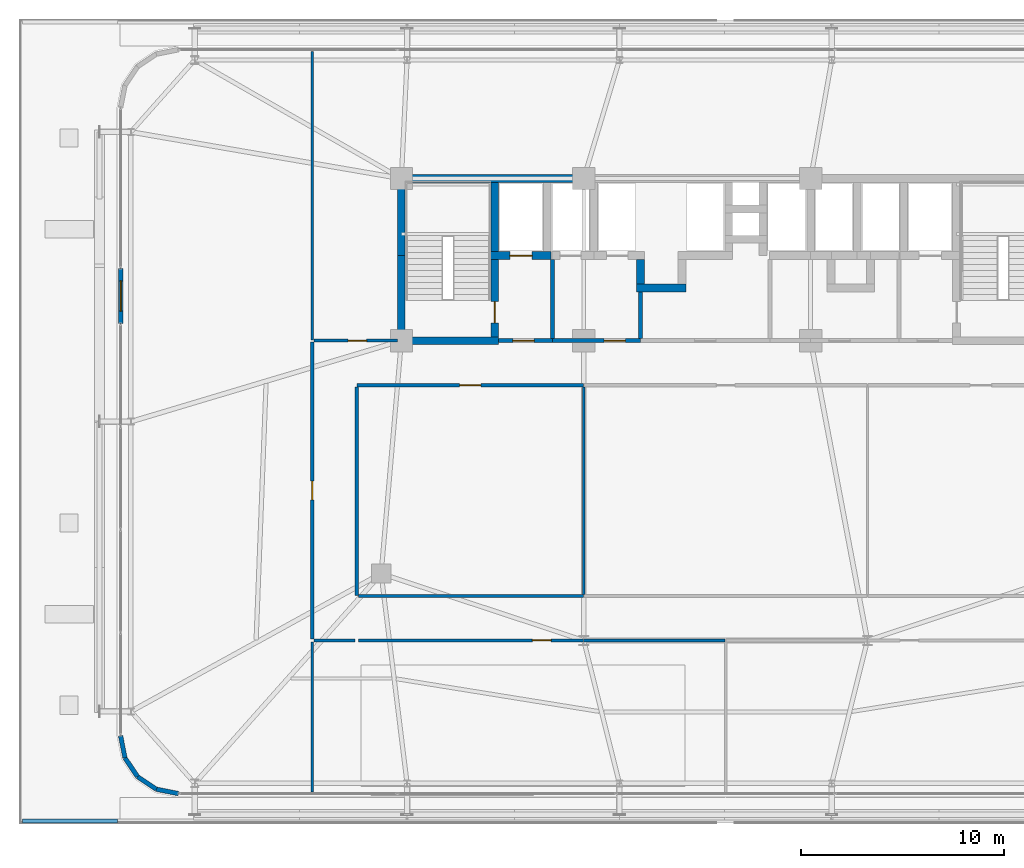
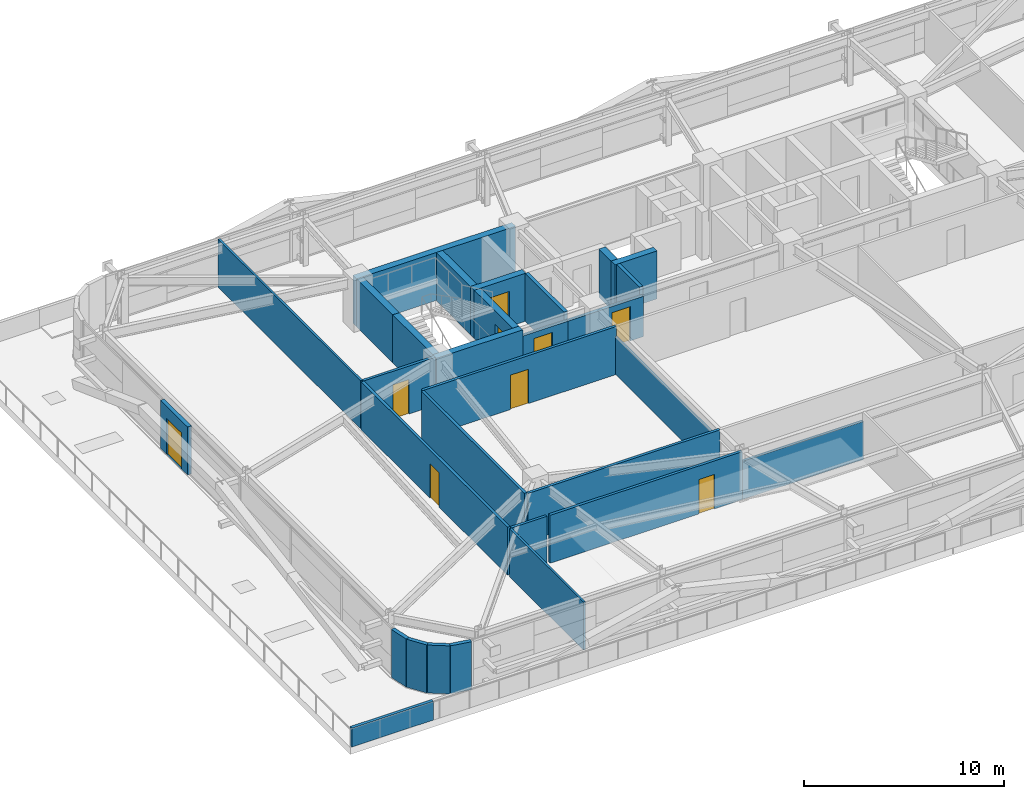
# One storey, part 50 of 56: 30 walls, 9 doors, 9 openings.
"""IFC4 building model written with IfcOpenShell, lengths in metres."""

import ifcopenshell
import ifcopenshell.guid

model = None  # the IFC model being written
_history = None  # IfcOwnerHistory: only IFC2X3 demands one
_inside = {}  # id of a spatial element -> (the spatial element, [elements in it])
_under = {}  # id of a project, library or spatial element -> (it, [spatial elements below it])
_declared = {}  # id of a project -> (the project, [libraries it declares])
_typed = {}  # id of a type object -> (the type object, [elements of that type])
_made_of = {}  # id of a material, layer set ... -> (it, [elements and type objects made of it])


def new_model(schema):
    """Start an empty IFC model of exactly this schema.

    Asked for "IFC4X3", IfcOpenShell would pick the latest addendum, in which some entities
    have other attributes; the version numbers below select the first issue.
    IFC2X3 requires an IfcOwnerHistory on every rooted entity: one is made here for all.
    """
    global model, _history
    if schema == "IFC4X3":
        model = ifcopenshell.file(schema_version=(4, 3, 0, 0))
    else:
        model = ifcopenshell.file(schema=schema)
    _inside.clear()
    _under.clear()
    _declared.clear()
    _typed.clear()
    _made_of.clear()
    _history = None
    if model.schema == "IFC2X3":
        org = make("IfcOrganization", Name="unknown")
        user = make(
            "IfcPersonAndOrganization",
            ThePerson=make("IfcPerson", FamilyName="unknown"),
            TheOrganization=org,
        )
        app = make(
            "IfcApplication",
            ApplicationDeveloper=org,
            Version="unknown",
            ApplicationFullName="unknown",
            ApplicationIdentifier="unknown",
        )
        _history = make(
            "IfcOwnerHistory",
            OwningUser=user,
            OwningApplication=app,
            ChangeAction="ADDED",
            CreationDate=0,
        )
    return model


def make(cls, **values):
    """One entity of the class cls with the attributes given. An attribute that is None is left unset."""
    return model.create_entity(
        cls, **{name: value for name, value in values.items() if value is not None}
    )


def rooted(cls, **values):
    """An entity with a GlobalId (a new one), such as an element, a storey or a relation."""
    return make(cls, GlobalId=ifcopenshell.guid.new(), OwnerHistory=_history, **values)


def si_unit(unit_type, name, prefix=None):
    """IfcSIUnit, for example si_unit("LENGTHUNIT", "METRE", prefix="MILLI")."""
    return make("IfcSIUnit", UnitType=unit_type, Prefix=prefix, Name=name)


def assignment(units):
    """IfcUnitAssignment: the units of a project."""
    return None if units is None else make("IfcUnitAssignment", Units=units)


def point(xyz):
    """IfcCartesianPoint."""
    return None if xyz is None else make("IfcCartesianPoint", Coordinates=xyz)


def direction(xyz):
    """IfcDirection."""
    return None if xyz is None else make("IfcDirection", DirectionRatios=xyz)


def frame(location, z_axis=None, x_axis=None):
    """IfcAxis2Placement3D, a coordinate frame: its origin and axes. An axis left out is left unset."""
    return make(
        "IfcAxis2Placement3D",
        Location=point(location),
        Axis=direction(z_axis),
        RefDirection=direction(x_axis),
    )


def frame_2d(location, x_axis=None):
    """IfcAxis2Placement2D, a coordinate frame in the plane: its origin and x axis."""
    return make(
        "IfcAxis2Placement2D", Location=point(location), RefDirection=direction(x_axis)
    )


def origin():
    """The frame at (0, 0, 0) with its axes left unset."""
    return frame((0.0, 0.0, 0.0))


def place(relative_to, where):
    """IfcLocalPlacement: puts the frame where relative to a parent placement (None: the world)."""
    return make(
        "IfcLocalPlacement", PlacementRelTo=relative_to, RelativePlacement=where
    )


def context(
    kind, dimensions, precision=None, world=None, true_north=None, identifier=None
):
    """IfcGeometricRepresentationContext, for example the 3D "Model" context."""
    return make(
        "IfcGeometricRepresentationContext",
        ContextIdentifier=identifier,
        ContextType=kind,
        CoordinateSpaceDimension=dimensions,
        Precision=precision,
        WorldCoordinateSystem=world,
        TrueNorth=true_north,
    )


def subcontext(parent, identifier, kind, view, scale=None):
    """IfcGeometricRepresentationSubContext, for example "Body" below "Model"."""
    return make(
        "IfcGeometricRepresentationSubContext",
        ContextIdentifier=identifier,
        ContextType=kind,
        ParentContext=parent,
        TargetScale=scale,
        TargetView=view,
    )


def project(units=None, contexts=None):
    """IfcProject with its units and contexts."""
    return rooted(
        "IfcProject",
        Name="project",
        RepresentationContexts=contexts,
        UnitsInContext=assignment(units),
    )


def spatial(cls, under=None, at=None, **own):
    """A site, building, storey or space (cls), placed at a placement, below another one or the project."""
    s = rooted(cls, ObjectPlacement=at, **own)
    if under is not None:
        _under.setdefault(under.id(), (under, []))[1].append(s)
    return s


def profile(cls, at=None, kind="AREA", **sizes):
    """A parametric profile (cls). Its sizes go by their IFC names, for example OverallWidth=200.0."""
    return make(cls, ProfileType=kind, Position=at, **sizes)


def rectangle(**sizes):
    """IfcRectangleProfileDef."""
    return profile("IfcRectangleProfileDef", **sizes)


def extrude(swept, where, along, depth):
    """IfcExtrudedAreaSolid: the profile swept, set in the frame where, extruded along a direction by depth."""
    return make(
        "IfcExtrudedAreaSolid",
        SweptArea=swept,
        Position=where,
        ExtrudedDirection=direction(along),
        Depth=depth,
    )


def shape(context_of_items, identifier, shape_type, items):
    """IfcShapeRepresentation: the items that make up one representation, for example the "Body"."""
    return make(
        "IfcShapeRepresentation",
        ContextOfItems=context_of_items,
        RepresentationIdentifier=identifier,
        RepresentationType=shape_type,
        Items=items,
    )


def source(mapping_origin, context_of_items, identifier, shape_type, items):
    """IfcRepresentationMap: a shape defined once, which mapped items show again and again."""
    return make(
        "IfcRepresentationMap",
        MappingOrigin=mapping_origin,
        MappedRepresentation=shape(context_of_items, identifier, shape_type, items),
    )


def transform(
    local_origin,
    x_axis=None,
    y_axis=None,
    z_axis=None,
    scale=None,
    scale2=None,
    scale3=None,
    uniform=True,
):
    """IfcCartesianTransformationOperator3D, or its non-uniform kind. x_axis, y_axis, z_axis: its Axis1, 2, 3."""
    if uniform:
        return make(
            "IfcCartesianTransformationOperator3D",
            Axis1=direction(x_axis),
            Axis2=direction(y_axis),
            LocalOrigin=point(local_origin),
            Scale=scale,
            Axis3=direction(z_axis),
        )
    return make(
        "IfcCartesianTransformationOperator3DnonUniform",
        Axis1=direction(x_axis),
        Axis2=direction(y_axis),
        LocalOrigin=point(local_origin),
        Scale=scale,
        Axis3=direction(z_axis),
        Scale2=scale2,
        Scale3=scale3,
    )


def mapped(mapping_source, mapping_target):
    """IfcMappedItem: shows the shape of a source again, moved by a transform."""
    return make(
        "IfcMappedItem", MappingSource=mapping_source, MappingTarget=mapping_target
    )


def material(Name=None, Category=None):
    """IfcMaterial."""
    return make("IfcMaterial", Name=Name, Category=Category)


def layer(
    of_material, thickness, ventilated=None, Name=None, Category=None, Priority=None
):
    """IfcMaterialLayer: one layer of a wall or slab, of a material (None: an air gap)."""
    return make(
        "IfcMaterialLayer",
        Material=of_material,
        LayerThickness=thickness,
        IsVentilated=ventilated,
        Name=Name,
        Category=Category,
        Priority=Priority,
    )


def layer_set(layers, Name=None):
    """IfcMaterialLayerSet."""
    return make("IfcMaterialLayerSet", MaterialLayers=layers, LayerSetName=Name)


def made_of(thing, what):
    """Note that an element or type object is made of a material, layer set ...; save() writes the relation."""
    if what is not None:
        _made_of.setdefault(what.id(), (what, []))[1].append(thing)
    return thing


def type_object(cls, material=None, **own):
    """A type object (cls), such as IfcWallType, which elements share."""
    return made_of(rooted(cls, **own), material)


def element(
    cls,
    number,
    at=None,
    inside=None,
    cuts=None,
    type_object=None,
    material=None,
    context=None,
    identifier="Body",
    shape_type=None,
    held_by="IfcProductDefinitionShape",
    body=None,
    shapes=None,
    **own,
):
    """One element of the class cls, such as IfcWall. Its Tag is "e" and its number.

    at: its placement. inside: the storey or other place that contains it. cuts: it is an
    opening in that element (IfcRelVoidsElement). A single representation is given by context,
    identifier, shape_type and body (its items); several are given by shapes. held_by: the class
    of the entity that holds the representations. save() writes the other relations.
    """
    e = rooted(cls, Tag="e%d" % number, ObjectPlacement=at, **own)
    if body is not None:
        shapes = [shape(context, identifier, shape_type, body)]
    if shapes is not None:
        e.Representation = make(held_by, Representations=shapes)
    if inside is not None:
        _inside.setdefault(inside.id(), (inside, []))[1].append(e)
    if cuts is not None:
        rooted(
            "IfcRelVoidsElement", RelatingBuildingElement=cuts, RelatedOpeningElement=e
        )
    if type_object is not None:
        _typed.setdefault(type_object.id(), (type_object, []))[1].append(e)
    return made_of(e, material)


def fill(opening, filler):
    """IfcRelFillsElement: the door or window that sits in an opening."""
    return rooted(
        "IfcRelFillsElement",
        RelatingOpeningElement=opening,
        RelatedBuildingElement=filler,
    )


def aggregate(whole, parts):
    """IfcRelAggregates: a whole, such as a stair, and the parts it consists of."""
    return rooted("IfcRelAggregates", RelatingObject=whole, RelatedObjects=parts)


def save(model, path):
    """Write the relations noted so far, then the file.

    IfcRelAggregates (storeys below a building ...), IfcRelContainedInSpatialStructure (elements
    in a storey), IfcRelDefinesByType, IfcRelAssociatesMaterial and IfcRelDeclares: one each for
    every whole, place, type object, material and project.
    """
    for whole, parts in _under.values():
        aggregate(whole, parts)
    for where, things in _inside.values():
        rooted(
            "IfcRelContainedInSpatialStructure",
            RelatedElements=things,
            RelatingStructure=where,
        )
    for kind, things in _typed.values():
        rooted("IfcRelDefinesByType", RelatedObjects=things, RelatingType=kind)
    for what, things in _made_of.values():
        rooted("IfcRelAssociatesMaterial", RelatedObjects=things, RelatingMaterial=what)
    for by, libraries in _declared.values():
        rooted("IfcRelDeclares", RelatingContext=by, RelatedDefinitions=libraries)
    model.write(path)


model = new_model("IFC4")

# Units and contexts
model_context = context("Model", 3, precision=1e-05, world=origin(), true_north=direction((0.0, 1.0)))
body_context = subcontext(model_context, "Body", "Model", "MODEL_VIEW")
ifc_project = project(units=[si_unit("LENGTHUNIT", "METRE"), si_unit("AREAUNIT", "SQUARE_METRE"), si_unit("VOLUMEUNIT", "CUBIC_METRE"), si_unit("PLANEANGLEUNIT", "RADIAN"), si_unit("MASSUNIT", "GRAM", prefix="KILO")], contexts=[model_context])

# Site, building, storey
site_placement = place(None, origin())
site = spatial("IfcSite", under=ifc_project, at=site_placement, CompositionType="ELEMENT")
building_placement = place(site_placement, origin())
building = spatial("IfcBuilding", under=site, at=building_placement, Name="Taldren Reach Tower", CompositionType="ELEMENT")
storey_placement = place(building_placement, frame((0.0, 0.0, 16.800048828125)))
storey = spatial("IfcBuildingStorey", under=building, at=storey_placement, Name="L04", CompositionType="ELEMENT", Elevation=16.800048828125)

# Walls
ifc_material_1 = material(Name="Pale Champagne Anodised Aluminium Cladding", Category="aluminium")
ifc_layer_1 = layer(ifc_material_1, 0.04, Name="Pale Champagne Anodised Aluminium Cladding", Category="aluminium")
ifc_material_2 = material(Name="Mineral Wool Acoustic Insulation", Category="insulation")
ifc_layer_2 = layer(ifc_material_2, 0.06, Name="Mineral Wool Acoustic Insulation", Category="insulation")
ifc_material_3 = material(Name="Steel Gr 350 (C350L0)", Category="steel")
ifc_layer_3 = layer(ifc_material_3, 0.12, Name="Steel Gr 350 (C350L0)", Category="steel")
ifc_layer_set_1 = layer_set([ifc_layer_1, ifc_layer_2, ifc_layer_3], Name="Pale Champagne Aluminium Cladding and Steel Gr 350 Stud Framing")
wall_type_1 = type_object("IfcWallType", Name="EW-CRN-220", PredefinedType="SOLIDWALL", material=ifc_layer_set_1)
shared_shape_1 = source(origin(), body_context, "Body", "SweptSolid", [
    extrude(rectangle(XDim=1.115966796875, YDim=0.219970703125, at=frame_2d((0.55810546875, 0.0))), origin(), (0.0, 0.0, 1.0), 2.929931640625),
])
for number, where, z_axis, x_axis, name in (
    (1, (5.139892578125, 4.5, 0.0), (0.0, 0.0, 1.0), (0.195148375659, -0.98077373103, 0.0), "Rounded-corner pale-metal facade wall L04-SW1"),
    (2, (5.357666015625, 3.405517578125, 0.0), (0.0, 0.0, 1.0), (0.555709556774, -0.83137650226, 0.0), "Rounded-corner pale-metal facade wall L04-SW2"),
    (3, (5.977783203125, 2.477783203125, 0.0), (0.0, 0.0, 1.0), (0.83137650226, -0.555709556774, 0.0), "Rounded-corner pale-metal facade wall L04-SW3"),
    (4, (6.905517578125, 1.857666015625, 0.0), (0.0, 0.0, 1.0), (0.98077373103, -0.195148375659, 0.0), "Rounded-corner pale-metal facade wall L04-SW4"),
):
    element("IfcWall", number, at=place(storey_placement, frame(where, z_axis=z_axis, x_axis=x_axis)), inside=storey, type_object=wall_type_1, Name=name, PredefinedType="SOLIDWALL", context=body_context, shape_type="MappedRepresentation", body=[
        mapped(shared_shape_1, transform((0.0, 0.0, 0.0), scale=1.0)),
    ])

# Wall, opening, door
shared_shape_2 = source(origin(), body_context, "Body", "SweptSolid", [
    extrude(rectangle(XDim=2.699951171875, YDim=0.219970703125, at=frame_2d((1.35009765625, 0.0))), origin(), (0.0, 0.0, 1.0), 2.929931640625),
])
wall_1_placement = place(storey_placement, frame((5.139892578125, 27.550048828125, 0.0), z_axis=(0.0, 0.0, 1.0), x_axis=(0.0, -1.0, 0.0)))
wall_1 = element("IfcWall", 5, at=wall_1_placement, inside=storey, type_object=wall_type_1, Name="Terrace threshold facade wall L04-W1", PredefinedType="SOLIDWALL", context=body_context, shape_type="MappedRepresentation", body=[
    mapped(shared_shape_2, transform((0.0, 0.0, 0.0), scale=1.0)),
])
shared_shape_3 = source(origin(), body_context, "Body", "SweptSolid", [
    extrude(rectangle(XDim=1.5, YDim=2.199951171875, at=frame_2d((0.75, 1.10009765625))), frame((0.0, 0.1201171875, 0.0), z_axis=(0.0, -1.0, 0.0), x_axis=(1.0, 0.0, 0.0)), (0.0, 0.0, 1.0), 0.239990234375),
])
opening_1_placement = place(wall_1_placement, frame((0.60009765625, 0.0, 0.0)))
opening_1 = element("IfcOpeningElement", 6, at=opening_1_placement, cuts=wall_1, Name="Opening ED-150", PredefinedType="OPENING", context=body_context, shape_type="MappedRepresentation", body=[
    mapped(shared_shape_3, transform((0.0, 0.0, 0.0), scale=1.0)),
])
ifc_material_4 = material(Name="Weatherproof Glazed Terrace Door")
door_type_1 = type_object("IfcDoorType", Name="ED-TERR-1500", OperationType="DOUBLE_DOOR_SINGLE_SWING", PredefinedType="DOOR", material=ifc_material_4)
shared_shape_4 = source(origin(), body_context, "Body", "SweptSolid", [
    extrude(rectangle(XDim=1.5, YDim=2.199951171875, at=frame_2d((0.75, 1.10009765625))), frame((0.0, 0.02490234375, 0.0), z_axis=(0.0, -1.0, 0.0), x_axis=(1.0, 0.0, 0.0)), (0.0, 0.0, 1.0), 0.050048828125),
])
door_1_placement = place(opening_1_placement, frame((1.5, 0.0, 0.0), z_axis=(0.0, 0.0, 1.0), x_axis=(-1.0, 0.0, 0.0)))
door_1 = element("IfcDoor", 7, at=door_1_placement, inside=storey, type_object=door_type_1, Name="Setback terrace access door ED-TERR-L04-W1", OperationType="DOUBLE_DOOR_SINGLE_SWING", OverallHeight=2.199951171875, OverallWidth=1.5, PredefinedType="DOOR", context=body_context, shape_type="MappedRepresentation", body=[
    mapped(shared_shape_4, transform((0.0, 0.0, 0.0), scale=1.0)),
])
fill(opening_1, door_1)

# Walls
ifc_layer_4 = layer(ifc_material_1, 0.03, Name="Pale Champagne Anodised Aluminium Cladding", Category="aluminium")
ifc_material_5 = material(Name="Concrete N40 (40 MPa)", Category="concrete")
ifc_layer_5 = layer(ifc_material_5, 0.15, Name="Concrete N40 (40 MPa)", Category="concrete")
ifc_layer_set_2 = layer_set([ifc_layer_4, ifc_layer_5], Name="Pale Champagne Aluminium Coping and Concrete 40 MPa (N40) Parapet")
wall_type_2 = type_object("IfcWallType", Name="EW-PAR-180", PredefinedType="PARAPET", material=ifc_layer_set_2)
shared_shape_5 = source(origin(), body_context, "Body", "SweptSolid", [
    extrude(rectangle(XDim=4.7099609375, YDim=0.179931640625, at=frame_2d((2.35498046875, 0.0))), origin(), (0.0, 0.0, 1.0), 1.14990234375),
])
wall_2_placement = place(storey_placement, frame((0.2900390625, 0.2900390625, 0.0), z_axis=(0.0, 0.0, 1.0), x_axis=(1.0, 0.0, 0.0)))
element("IfcWall", 8, at=wall_2_placement, inside=storey, type_object=wall_type_2, Name="Podium perimeter parapet wall L04-SW", PredefinedType="PARAPET", context=body_context, shape_type="MappedRepresentation", body=[
    mapped(shared_shape_5, transform((0.0, 0.0, 0.0), scale=1.0)),
])
ifc_material_6 = material(Name="Concrete S80 (80 MPa)", Category="concrete")
ifc_layer_6 = layer(ifc_material_6, 0.3798828125)
ifc_layer_set_3 = layer_set([ifc_layer_6], Name="Concrete S80 (80 MPa)")
wall_type_3 = type_object("IfcWallType", Name="IW-CORE-380", PredefinedType="SHEAR", material=ifc_layer_set_3)
shared_shape_6 = source(origin(), body_context, "Body", "SweptSolid", [
    extrude(rectangle(XDim=9.18994140625, YDim=0.3798828125, at=frame_2d((4.594970703125, 0.0))), origin(), (0.0, 0.0, 1.0), 2.929931640625),
])
wall_3_placement = place(storey_placement, frame((18.81005859375, 32.0, 0.0), z_axis=(0.0, 0.0, 1.0), x_axis=(1.0, 0.0, 0.0)))
element("IfcWall", 9, at=wall_3_placement, inside=storey, type_object=wall_type_3, Name="Rear Core Shear Wall W-CORE-L04-NORTH1", PredefinedType="SHEAR", context=body_context, shape_type="MappedRepresentation", body=[
    mapped(shared_shape_6, transform((0.0, 0.0, 0.0), scale=1.0)),
])
shared_shape_7 = source(origin(), body_context, "Body", "SweptSolid", [
    extrude(rectangle(XDim=4.010009765625, YDim=0.3798828125, at=frame_2d((2.0048828125, 0.0))), origin(), (0.0, 0.0, 1.0), 2.929931640625),
])
wall_4_placement = place(storey_placement, frame((19.0, 24.18994140625, 0.0), z_axis=(0.0, 0.0, 1.0), x_axis=(0.0, 1.0, 0.0)))
element("IfcWall", 10, at=wall_4_placement, inside=storey, type_object=wall_type_3, Name="Rear Core Shear Wall W-CORE-L04-WEST1", PredefinedType="SHEAR", context=body_context, shape_type="MappedRepresentation", body=[
    mapped(shared_shape_7, transform((0.0, 0.0, 0.0), scale=1.0)),
])
shared_shape_8 = source(origin(), body_context, "Body", "SweptSolid", [
    extrude(rectangle(XDim=3.610107421875, YDim=0.3798828125, at=frame_2d((1.80517578125, 0.0))), origin(), (0.0, 0.0, 1.0), 2.929931640625),
])
wall_5_placement = place(storey_placement, frame((19.0, 28.199951171875, 0.0), z_axis=(0.0, 0.0, 1.0), x_axis=(0.0, 1.0, 0.0)))
element("IfcWall", 11, at=wall_5_placement, inside=storey, type_object=wall_type_3, Name="Rear Core Shear Wall W-CORE-L04-WEST2", PredefinedType="SHEAR", context=body_context, shape_type="MappedRepresentation", body=[
    mapped(shared_shape_8, transform((0.0, 0.0, 0.0), scale=1.0)),
])
shared_shape_9 = source(origin(), body_context, "Body", "SweptSolid", [
    extrude(rectangle(XDim=3.420166015625, YDim=0.3798828125, at=frame_2d((1.7099609375, 0.0))), origin(), (0.0, 0.0, 1.0), 2.929931640625),
])
wall_6_placement = place(storey_placement, frame((23.60009765625, 28.389892578125, 0.0), z_axis=(0.0, 0.0, 1.0), x_axis=(0.0, 1.0, 0.0)))
element("IfcWall", 12, at=wall_6_placement, inside=storey, type_object=wall_type_3, Name="Rear Core Shear Wall W-INT-L04-001", PredefinedType="SHEAR", context=body_context, shape_type="MappedRepresentation", body=[
    mapped(shared_shape_9, transform((0.0, 0.0, 0.0), scale=1.0)),
])

# Wall, opening, door
shared_shape_10 = source(origin(), body_context, "Body", "SweptSolid", [
    extrude(rectangle(XDim=3.820068359375, YDim=0.3798828125, at=frame_2d((1.91015625, 0.0))), origin(), (0.0, 0.0, 1.0), 2.929931640625),
])
wall_7_placement = place(storey_placement, frame((23.60009765625, 24.18994140625, 0.0), z_axis=(0.0, 0.0, 1.0), x_axis=(0.0, 1.0, 0.0)))
wall_7 = element("IfcWall", 13, at=wall_7_placement, inside=storey, type_object=wall_type_3, Name="Rear Core Shear Wall W-INT-L04-002", PredefinedType="SHEAR", context=body_context, shape_type="MappedRepresentation", body=[
    mapped(shared_shape_10, transform((0.0, 0.0, 0.0), scale=1.0)),
])
shared_shape_11 = source(origin(), body_context, "Body", "SweptSolid", [
    extrude(rectangle(XDim=1.050048828125, YDim=2.10009765625, at=frame_2d((0.52490234375, 1.050048828125))), frame((0.0, 0.199951171875, 0.0), z_axis=(0.0, -1.0, 0.0), x_axis=(1.0, 0.0, 0.0)), (0.0, 0.0, 1.0), 0.39990234375),
])
opening_2_placement = place(wall_7_placement, frame((0.68505859375, 0.0, 0.0)))
opening_2 = element("IfcOpeningElement", 14, at=opening_2_placement, cuts=wall_7, Name="Opening DF-105", PredefinedType="OPENING", context=body_context, shape_type="MappedRepresentation", body=[
    mapped(shared_shape_11, transform((0.0, 0.0, 0.0), scale=1.0)),
])
ifc_material_7 = material(Name="Fire-Rated Care and Stair Exit Door")
door_type_2 = type_object("IfcDoorType", Name="ID-FIRE-105", OperationType="NOTDEFINED", PredefinedType="DOOR", material=ifc_material_7)
shared_shape_12 = source(origin(), body_context, "Body", "SweptSolid", [
    extrude(rectangle(XDim=1.050048828125, YDim=2.10009765625, at=frame_2d((0.52490234375, 1.050048828125))), frame((0.0, 0.02490234375, 0.0), z_axis=(0.0, -1.0, 0.0), x_axis=(1.0, 0.0, 0.0)), (0.0, 0.0, 1.0), 0.050048828125),
])
door_2_placement = place(opening_2_placement, origin())
door_2 = element("IfcDoor", 15, at=door_2_placement, inside=storey, type_object=door_type_2, Name="Fire Exit Stair Door DR-L04-001", OperationType="SINGLE_SWING_LEFT", OverallHeight=2.10009765625, OverallWidth=1.050048828125, PredefinedType="DOOR", context=body_context, shape_type="MappedRepresentation", body=[
    mapped(shared_shape_12, transform((0.0, 0.0, 0.0), scale=1.0)),
])
fill(opening_2, door_2)

# Wall
shared_shape_13 = source(origin(), body_context, "Body", "SweptSolid", [
    extrude(rectangle(XDim=4.97998046875, YDim=0.3798828125, at=frame_2d((2.489990234375, 0.0))), origin(), (0.0, 0.0, 1.0), 2.929931640625),
])
wall_8_placement = place(storey_placement, frame((18.81005859375, 24.0, 0.0), z_axis=(0.0, 0.0, 1.0), x_axis=(1.0, 0.0, 0.0)))
element("IfcWall", 16, at=wall_8_placement, inside=storey, type_object=wall_type_3, Name="Rear Core Shear Wall W-INT-L04-003", PredefinedType="SHEAR", context=body_context, shape_type="MappedRepresentation", body=[
    mapped(shared_shape_13, transform((0.0, 0.0, 0.0), scale=1.0)),
])

# Wall, opening, door
shared_shape_14 = source(origin(), body_context, "Body", "SweptSolid", [
    extrude(rectangle(XDim=2.97998046875, YDim=0.3798828125, at=frame_2d((1.489990234375, 0.0))), origin(), (0.0, 0.0, 1.0), 2.929931640625),
])
wall_9_placement = place(storey_placement, frame((23.409912109375, 28.199951171875, 0.0), z_axis=(0.0, 0.0, 1.0), x_axis=(1.0, 0.0, 0.0)))
wall_9 = element("IfcWall", 17, at=wall_9_placement, inside=storey, type_object=wall_type_3, Name="Rear Core Shear Wall W-INT-L04-004", PredefinedType="SHEAR", context=body_context, shape_type="MappedRepresentation", body=[
    mapped(shared_shape_14, transform((0.0, 0.0, 0.0), scale=1.0)),
])
shared_shape_15 = source(origin(), body_context, "Body", "SweptSolid", [
    extrude(rectangle(XDim=1.10009765625, YDim=2.14990234375, at=frame_2d((0.550048828125, 1.074951171875))), frame((0.0, 0.199951171875, 0.0), z_axis=(0.0, -1.0, 0.0), x_axis=(1.0, 0.0, 0.0)), (0.0, 0.0, 1.0), 0.39990234375),
])
opening_3_placement = place(wall_9_placement, frame((0.93994140625, 0.0, 0.0)))
opening_3 = element("IfcOpeningElement", 18, at=opening_3_placement, cuts=wall_9, Name="Opening LD-FL1", PredefinedType="OPENING", context=body_context, shape_type="MappedRepresentation", body=[
    mapped(shared_shape_15, transform((0.0, 0.0, 0.0), scale=1.0)),
])
ifc_material_8 = material(Name="Stainless Steel Gr 316 Emergency Lift Landing Door", Category="steel")
door_type_3 = type_object("IfcDoorType", Name="LD-EMG-110", OperationType="SLIDING_TO_LEFT", PredefinedType="DOOR", material=ifc_material_8)
shared_shape_16 = source(origin(), body_context, "Body", "SweptSolid", [
    extrude(rectangle(XDim=1.10009765625, YDim=2.14990234375, at=frame_2d((0.550048828125, 1.074951171875))), frame((0.0, 0.02490234375, 0.0), z_axis=(0.0, -1.0, 0.0), x_axis=(1.0, 0.0, 0.0)), (0.0, 0.0, 1.0), 0.050048828125),
])
door_3_placement = place(opening_3_placement, origin())
door_3 = element("IfcDoor", 19, at=door_3_placement, inside=storey, type_object=door_type_3, Name="Lift Landing Door LD-FL1-L04", OperationType="SLIDING_TO_LEFT", OverallHeight=2.14990234375, OverallWidth=1.10009765625, PredefinedType="DOOR", context=body_context, shape_type="MappedRepresentation", body=[
    mapped(shared_shape_16, transform((0.0, 0.0, 0.0), scale=1.0)),
])
fill(opening_3, door_3)

# Wall
ifc_material_9 = material(Name="Concrete S50 (50 MPa)", Category="concrete")
ifc_layer_7 = layer(ifc_material_9, 0.199951171875)
ifc_layer_set_4 = layer_set([ifc_layer_7], Name="Concrete S50 (50 MPa)")
wall_type_4 = type_object("IfcWallType", Name="IW-CORE-200", PredefinedType="SOLIDWALL", material=ifc_layer_set_4)
shared_shape_17 = source(origin(), body_context, "Body", "SweptSolid", [
    extrude(rectangle(XDim=3.909912109375, YDim=0.199951171875, at=frame_2d((1.955078125, 0.0))), origin(), (0.0, 0.0, 1.0), 2.929931640625),
])
wall_10_placement = place(storey_placement, frame((26.449951171875, 24.10009765625, 0.0), z_axis=(0.0, 0.0, 1.0), x_axis=(0.0, 1.0, 0.0)))
element("IfcWall", 20, at=wall_10_placement, inside=storey, type_object=wall_type_4, Name="Rear Core Shear Wall W-INT-L04-006", PredefinedType="SOLIDWALL", context=body_context, shape_type="MappedRepresentation", body=[
    mapped(shared_shape_17, transform((0.0, 0.0, 0.0), scale=1.0)),
])

# Wall, opening, door
shared_shape_18 = source(origin(), body_context, "Body", "SweptSolid", [
    extrude(rectangle(XDim=2.659912109375, YDim=0.199951171875, at=frame_2d((1.330078125, 0.0))), origin(), (0.0, 0.0, 1.0), 2.469970703125),
])
wall_11_placement = place(storey_placement, frame((23.7900390625, 24.0, 0.0), z_axis=(0.0, 0.0, 1.0), x_axis=(1.0, 0.0, 0.0)))
wall_11 = element("IfcWall", 21, at=wall_11_placement, inside=storey, type_object=wall_type_4, Name="Rear Core Shear Wall W-INT-L04-007", PredefinedType="SOLIDWALL", context=body_context, shape_type="MappedRepresentation", body=[
    mapped(shared_shape_18, transform((0.0, 0.0, 0.0), scale=1.0)),
])
shared_shape_19 = source(origin(), body_context, "Body", "SweptSolid", [
    extrude(rectangle(XDim=1.050048828125, YDim=2.10009765625, at=frame_2d((0.52490234375, 1.050048828125))), frame((0.0, 0.10986328125, 0.0), z_axis=(0.0, -1.0, 0.0), x_axis=(1.0, 0.0, 0.0)), (0.0, 0.0, 1.0), 0.219970703125),
])
opening_4_placement = place(wall_11_placement, frame((0.7099609375, 0.0, 0.0)))
opening_4 = element("IfcOpeningElement", 22, at=opening_4_placement, cuts=wall_11, Name="Opening DF-105", PredefinedType="OPENING", context=body_context, shape_type="MappedRepresentation", body=[
    mapped(shared_shape_19, transform((0.0, 0.0, 0.0), scale=1.0)),
])
door_4_placement = place(opening_4_placement, origin())
door_4 = element("IfcDoor", 23, at=door_4_placement, inside=storey, type_object=door_type_2, Name="Interior Door DR-L04-002", OperationType="SINGLE_SWING_LEFT", OverallHeight=2.10009765625, OverallWidth=1.050048828125, PredefinedType="DOOR", context=body_context, shape_type="MappedRepresentation", body=[
    mapped(shared_shape_12, transform((0.0, 0.0, 0.0), scale=1.0)),
])
fill(opening_4, door_4)

# Walls
shared_shape_20 = source(origin(), body_context, "Body", "SweptSolid", [
    extrude(rectangle(XDim=1.219970703125, YDim=0.3798828125, at=frame_2d((0.60986328125, 0.0))), origin(), (0.0, 0.0, 1.0), 2.929931640625),
])
wall_12_placement = place(storey_placement, frame((30.800048828125, 28.010009765625, 0.0), z_axis=(0.0, 0.0, 1.0), x_axis=(0.0, -1.0, 0.0)))
element("IfcWall", 24, at=wall_12_placement, inside=storey, type_object=wall_type_3, Name="Rear Core Shear Wall W-INT-L04-021", PredefinedType="SHEAR", context=body_context, shape_type="MappedRepresentation", body=[
    mapped(shared_shape_20, transform((0.0, 0.0, 0.0), scale=1.0)),
])
shared_shape_21 = source(origin(), body_context, "Body", "SweptSolid", [
    extrude(rectangle(XDim=2.429931640625, YDim=0.3798828125, at=frame_2d((1.21484375, 0.0))), origin(), (0.0, 0.0, 1.0), 2.929931640625),
])
wall_13_placement = place(storey_placement, frame((30.610107421875, 26.60009765625, 0.0), z_axis=(0.0, 0.0, 1.0), x_axis=(1.0, 0.0, 0.0)))
element("IfcWall", 25, at=wall_13_placement, inside=storey, type_object=wall_type_3, Name="Rear Core Shear Wall W-INT-L04-022", PredefinedType="SHEAR", context=body_context, shape_type="MappedRepresentation", body=[
    mapped(shared_shape_21, transform((0.0, 0.0, 0.0), scale=1.0)),
])
shared_shape_22 = source(origin(), body_context, "Body", "SweptSolid", [
    extrude(rectangle(XDim=2.309814453125, YDim=0.199951171875, at=frame_2d((1.15478515625, 0.0))), origin(), (0.0, 0.0, 1.0), 2.929931640625),
])
wall_14_placement = place(storey_placement, frame((30.800048828125, 26.409912109375, 0.0), z_axis=(0.0, 0.0, 1.0), x_axis=(0.0, -1.0, 0.0)))
element("IfcWall", 26, at=wall_14_placement, inside=storey, type_object=wall_type_4, Name="Rear Core Shear Wall W-INT-L04-032", PredefinedType="SOLIDWALL", context=body_context, shape_type="MappedRepresentation", body=[
    mapped(shared_shape_22, transform((0.0, 0.0, 0.0), scale=1.0)),
])

# Wall, opening, door
shared_shape_23 = source(origin(), body_context, "Body", "SweptSolid", [
    extrude(rectangle(XDim=4.35009765625, YDim=0.199951171875, at=frame_2d((2.175048828125, 0.0))), origin(), (0.0, 0.0, 1.0), 2.469970703125),
])
wall_15_placement = place(storey_placement, frame((30.800048828125, 24.0, 0.0), z_axis=(0.0, 0.0, 1.0), x_axis=(-1.0, 0.0, 0.0)))
wall_15 = element("IfcWall", 27, at=wall_15_placement, inside=storey, type_object=wall_type_4, Name="Rear Core Shear Wall W-INT-L04-033", PredefinedType="SOLIDWALL", context=body_context, shape_type="MappedRepresentation", body=[
    mapped(shared_shape_23, transform((0.0, 0.0, 0.0), scale=1.0)),
])
opening_5_placement = place(wall_15_placement, frame((0.75, 0.0, 0.0)))
opening_5 = element("IfcOpeningElement", 28, at=opening_5_placement, cuts=wall_15, Name="Opening DF-105", PredefinedType="OPENING", context=body_context, shape_type="MappedRepresentation", body=[
    mapped(shared_shape_19, transform((0.0, 0.0, 0.0), scale=1.0)),
])
door_5_placement = place(opening_5_placement, frame((1.050048828125, 0.0, 0.0), z_axis=(0.0, 0.0, 1.0), x_axis=(-1.0, 0.0, 0.0)))
door_5 = element("IfcDoor", 29, at=door_5_placement, inside=storey, type_object=door_type_2, Name="Interior Door DR-L04-005", OperationType="SINGLE_SWING_RIGHT", OverallHeight=2.10009765625, OverallWidth=1.050048828125, PredefinedType="DOOR", context=body_context, shape_type="MappedRepresentation", body=[
    mapped(shared_shape_12, transform((0.0, 0.0, 0.0), scale=1.0)),
])
fill(opening_5, door_5)

ifc_material_10 = material(Name="Fire-Rated Acoustic Plasterboard Stud Wall", Category="gypsum")
ifc_layer_8 = layer(ifc_material_10, 0.159912109375)
ifc_layer_set_5 = layer_set([ifc_layer_8], Name="Fire-Rated Acoustic Plasterboard Stud Wall")
wall_type_5 = type_object("IfcWallType", Name="IW-FIRE-160", PredefinedType="PARTITIONING", material=ifc_layer_set_5)
shared_shape_24 = source(origin(), body_context, "Body", "SweptSolid", [
    extrude(rectangle(XDim=11.159423828125, YDim=0.159912109375, at=frame_2d((5.57958984375, 0.0))), origin(), (0.0, 0.0, 1.0), 2.929931640625),
])
wall_16_placement = place(storey_placement, frame((27.979736328125, 21.800048828125, 0.0), z_axis=(0.0, 0.0, 1.0), x_axis=(-1.0, 0.0, 0.0)))
wall_16 = element("IfcWall", 30, at=wall_16_placement, inside=storey, type_object=wall_type_5, Name="Interior Partition Wall W-INT-L04-045", PredefinedType="PARTITIONING", context=body_context, shape_type="MappedRepresentation", body=[
    mapped(shared_shape_24, transform((0.0, 0.0, 0.0), scale=1.0)),
])
shared_shape_25 = source(origin(), body_context, "Body", "SweptSolid", [
    extrude(rectangle(XDim=1.050048828125, YDim=2.10009765625, at=frame_2d((0.52490234375, 1.050048828125))), frame((0.0, 0.08984375, 0.0), z_axis=(0.0, -1.0, 0.0), x_axis=(1.0, 0.0, 0.0)), (0.0, 0.0, 1.0), 0.179931640625),
])
opening_6_placement = place(wall_16_placement, frame((5.0546875, 0.0, 0.0)))
opening_6 = element("IfcOpeningElement", 31, at=opening_6_placement, cuts=wall_16, Name="Opening DF-105", PredefinedType="OPENING", context=body_context, shape_type="MappedRepresentation", body=[
    mapped(shared_shape_25, transform((0.0, 0.0, 0.0), scale=1.0)),
])
door_6_placement = place(opening_6_placement, origin())
door_6 = element("IfcDoor", 32, at=door_6_placement, inside=storey, type_object=door_type_2, Name="Interior Door DR-L04-008", OperationType="SINGLE_SWING_LEFT", OverallHeight=2.10009765625, OverallWidth=1.050048828125, PredefinedType="DOOR", context=body_context, shape_type="MappedRepresentation", body=[
    mapped(shared_shape_12, transform((0.0, 0.0, 0.0), scale=1.0)),
])
fill(opening_6, door_6)

# Walls
shared_shape_26 = source(origin(), body_context, "Body", "SweptSolid", [
    extrude(rectangle(XDim=10.2998046875, YDim=0.159912109375, at=frame_2d((5.14990234375, 0.0))), origin(), (0.0, 0.0, 1.0), 2.929931640625),
])
wall_17_placement = place(storey_placement, frame((16.800048828125, 21.719970703125, 0.0), z_axis=(0.0, 0.0, 1.0), x_axis=(0.0, -1.0, 0.0)))
element("IfcWall", 33, at=wall_17_placement, inside=storey, type_object=wall_type_5, Name="Interior Partition Wall W-INT-L04-046", PredefinedType="PARTITIONING", context=body_context, shape_type="MappedRepresentation", body=[
    mapped(shared_shape_26, transform((0.0, 0.0, 0.0), scale=1.0)),
])
shared_shape_27 = source(origin(), body_context, "Body", "SweptSolid", [
    extrude(rectangle(XDim=2.0400390625, YDim=0.159912109375, at=frame_2d((1.02001953125, 0.0))), origin(), (0.0, 0.0, 1.0), 2.929931640625),
])
wall_18_placement = place(storey_placement, frame((16.719970703125, 9.199951171875, 0.0), z_axis=(0.0, 0.0, 1.0), x_axis=(-1.0, 0.0, 0.0)))
element("IfcWall", 34, at=wall_18_placement, inside=storey, type_object=wall_type_5, Name="Interior Partition Wall W-INT-L04-050", PredefinedType="PARTITIONING", context=body_context, shape_type="MappedRepresentation", body=[
    mapped(shared_shape_27, transform((0.0, 0.0, 0.0), scale=1.0)),
])

# Wall, opening, door
shared_shape_28 = source(origin(), body_context, "Body", "SweptSolid", [
    extrude(rectangle(XDim=14.639892578125, YDim=0.159912109375, at=frame_2d((7.31982421875, 0.0))), origin(), (0.0, 0.0, 1.0), 2.929931640625),
])
wall_19_placement = place(storey_placement, frame((14.60009765625, 9.280029296875, 0.0), z_axis=(0.0, 0.0, 1.0), x_axis=(0.0, 1.0, 0.0)))
wall_19 = element("IfcWall", 35, at=wall_19_placement, inside=storey, type_object=wall_type_5, Name="Interior Partition Wall W-INT-L04-052", PredefinedType="PARTITIONING", context=body_context, shape_type="MappedRepresentation", body=[
    mapped(shared_shape_28, transform((0.0, 0.0, 0.0), scale=1.0)),
])
shared_shape_29 = source(origin(), body_context, "Body", "SweptSolid", [
    extrude(rectangle(XDim=0.919921875, YDim=2.10009765625, at=frame_2d((0.4599609375, 1.050048828125))), frame((0.0, 0.08984375, 0.0), z_axis=(0.0, -1.0, 0.0), x_axis=(1.0, 0.0, 0.0)), (0.0, 0.0, 1.0), 0.179931640625),
])
opening_7_placement = place(wall_19_placement, frame((6.860107421875, 0.0, 0.0)))
opening_7 = element("IfcOpeningElement", 36, at=opening_7_placement, cuts=wall_19, Name="Opening DI-092", PredefinedType="OPENING", context=body_context, shape_type="MappedRepresentation", body=[
    mapped(shared_shape_29, transform((0.0, 0.0, 0.0), scale=1.0)),
])
ifc_material_11 = material(Name="Solid-Core Timber Suite Door", Category="wood")
door_type_4 = type_object("IfcDoorType", Name="ID-INT-092", OperationType="NOTDEFINED", PredefinedType="DOOR", material=ifc_material_11)
shared_shape_30 = source(origin(), body_context, "Body", "SweptSolid", [
    extrude(rectangle(XDim=0.919921875, YDim=2.10009765625, at=frame_2d((0.4599609375, 1.050048828125))), frame((0.0, 0.02490234375, 0.0), z_axis=(0.0, -1.0, 0.0), x_axis=(1.0, 0.0, 0.0)), (0.0, 0.0, 1.0), 0.050048828125),
])
door_7_placement = place(opening_7_placement, origin())
door_7 = element("IfcDoor", 37, at=door_7_placement, inside=storey, type_object=door_type_4, Name="Interior Door DR-L04-011", OperationType="SINGLE_SWING_RIGHT", OverallHeight=2.10009765625, OverallWidth=0.919921875, PredefinedType="DOOR", context=body_context, shape_type="MappedRepresentation", body=[
    mapped(shared_shape_30, transform((0.0, 0.0, 0.0), scale=1.0)),
])
fill(opening_7, door_7)

shared_shape_31 = source(origin(), body_context, "Body", "SweptSolid", [
    extrude(rectangle(XDim=4.130126953125, YDim=0.159912109375, at=frame_2d((2.06494140625, 0.0))), origin(), (0.0, 0.0, 1.0), 2.929931640625),
])
wall_20_placement = place(storey_placement, frame((14.679931640625, 24.0, 0.0), z_axis=(0.0, 0.0, 1.0), x_axis=(1.0, 0.0, 0.0)))
wall_20 = element("IfcWall", 38, at=wall_20_placement, inside=storey, type_object=wall_type_5, Name="Interior Partition Wall W-INT-L04-054", PredefinedType="PARTITIONING", context=body_context, shape_type="MappedRepresentation", body=[
    mapped(shared_shape_31, transform((0.0, 0.0, 0.0), scale=1.0)),
])
opening_8_placement = place(wall_20_placement, frame((1.68994140625, 0.0, 0.0)))
opening_8 = element("IfcOpeningElement", 39, at=opening_8_placement, cuts=wall_20, Name="Opening DI-092", PredefinedType="OPENING", context=body_context, shape_type="MappedRepresentation", body=[
    mapped(shared_shape_29, transform((0.0, 0.0, 0.0), scale=1.0)),
])
door_8_placement = place(opening_8_placement, origin())
door_8 = element("IfcDoor", 40, at=door_8_placement, inside=storey, type_object=door_type_4, Name="Interior Door DR-L04-013", OperationType="SINGLE_SWING_RIGHT", OverallHeight=2.10009765625, OverallWidth=0.919921875, PredefinedType="DOOR", context=body_context, shape_type="MappedRepresentation", body=[
    mapped(shared_shape_30, transform((0.0, 0.0, 0.0), scale=1.0)),
])
fill(opening_8, door_8)

# Walls
shared_shape_32 = source(origin(), body_context, "Body", "SweptSolid", [
    extrude(rectangle(XDim=11.099853515625, YDim=0.159912109375, at=frame_2d((5.5498046875, 0.0))), origin(), (0.0, 0.0, 1.0), 2.929931640625),
])
wall_21_placement = place(storey_placement, frame((16.8798828125, 11.39990234375, 0.0), z_axis=(0.0, 0.0, 1.0), x_axis=(1.0, 0.0, 0.0)))
element("IfcWall", 41, at=wall_21_placement, inside=storey, type_object=wall_type_5, Name="Interior Partition Wall W-INT-L04-056", PredefinedType="PARTITIONING", context=body_context, shape_type="MappedRepresentation", body=[
    mapped(shared_shape_32, transform((0.0, 0.0, 0.0), scale=1.0)),
])
shared_shape_33 = source(origin(), body_context, "Body", "SweptSolid", [
    extrude(rectangle(XDim=6.979736328125, YDim=0.159912109375, at=frame_2d((3.48974609375, 0.0))), origin(), (0.0, 0.0, 1.0), 2.327880859375),
])
wall_22_placement = place(storey_placement, frame((34.979736328125, 9.199951171875, 0.0), z_axis=(0.0, 0.0, 1.0), x_axis=(-1.0, 0.0, 0.0)))
element("IfcWall", 42, at=wall_22_placement, inside=storey, type_object=wall_type_5, Name="Interior Partition Wall W-INT-L04-059", PredefinedType="PARTITIONING", context=body_context, shape_type="MappedRepresentation", body=[
    mapped(shared_shape_33, transform((0.0, 0.0, 0.0), scale=1.0)),
])

# Wall, opening, door
shared_shape_34 = source(origin(), body_context, "Body", "SweptSolid", [
    extrude(rectangle(XDim=11.1201171875, YDim=0.159912109375, at=frame_2d((5.56005859375, 0.0))), origin(), (0.0, 0.0, 1.0), 2.929931640625),
])
wall_23_placement = place(storey_placement, frame((28.0, 9.199951171875, 0.0), z_axis=(0.0, 0.0, 1.0), x_axis=(-1.0, 0.0, 0.0)))
wall_23 = element("IfcWall", 43, at=wall_23_placement, inside=storey, type_object=wall_type_5, Name="Interior Partition Wall W-INT-L04-059 part 2", PredefinedType="PARTITIONING", context=body_context, shape_type="MappedRepresentation", body=[
    mapped(shared_shape_34, transform((0.0, 0.0, 0.0), scale=1.0)),
])
opening_9_placement = place(wall_23_placement, frame((1.610107421875, 0.0, 0.0)))
opening_9 = element("IfcOpeningElement", 44, at=opening_9_placement, cuts=wall_23, Name="Opening DI-092", PredefinedType="OPENING", context=body_context, shape_type="MappedRepresentation", body=[
    mapped(shared_shape_29, transform((0.0, 0.0, 0.0), scale=1.0)),
])
door_9_placement = place(opening_9_placement, origin())
door_9 = element("IfcDoor", 45, at=door_9_placement, inside=storey, type_object=door_type_4, Name="Interior Door DR-L04-014", OperationType="SINGLE_SWING_LEFT", OverallHeight=2.10009765625, OverallWidth=0.919921875, PredefinedType="DOOR", context=body_context, shape_type="MappedRepresentation", body=[
    mapped(shared_shape_30, transform((0.0, 0.0, 0.0), scale=1.0)),
])
fill(opening_9, door_9)

# Walls
ifc_material_12 = material(Name="Acoustic Operable Folding Partition", Category="metal")
ifc_layer_9 = layer(ifc_material_12, 0.10009765625)
ifc_layer_set_6 = layer_set([ifc_layer_9], Name="Acoustic Operable Folding Partition")
wall_type_6 = type_object("IfcWallType", Name="IW-MOV-100", PredefinedType="MOVABLE", material=ifc_layer_set_6)
shared_shape_35 = source(origin(), body_context, "Body", "SweptSolid", [
    extrude(rectangle(XDim=10.239990234375, YDim=0.10009765625, at=frame_2d((5.1201171875, 0.0))), origin(), (0.0, 0.0, 1.0), 2.327880859375),
])
wall_24_placement = place(storey_placement, frame((28.0, 21.719970703125, 0.0), z_axis=(0.0, 0.0, 1.0), x_axis=(0.0, -1.0, 0.0)))
element("IfcWall", 46, at=wall_24_placement, inside=storey, type_object=wall_type_6, Name="Interior Partition Wall W-INT-L04-061", PredefinedType="MOVABLE", context=body_context, shape_type="MappedRepresentation", body=[
    mapped(shared_shape_35, transform((0.0, 0.0, 0.0), scale=1.0)),
])
ifc_material_13 = material(Name="Insulated Residential Stud Partition", Category="gypsum")
ifc_layer_10 = layer(ifc_material_13, 0.1201171875)
ifc_layer_set_7 = layer_set([ifc_layer_10], Name="Insulated Residential Stud Partition")
wall_type_7 = type_object("IfcWallType", Name="IW-PART-120", PredefinedType="PARTITIONING", material=ifc_layer_set_7)
shared_shape_36 = source(origin(), body_context, "Body", "SweptSolid", [
    extrude(rectangle(XDim=7.39013671875, YDim=0.1201171875, at=frame_2d((3.695068359375, 0.0))), origin(), (0.0, 0.0, 1.0), 2.929931640625),
])
wall_25_placement = place(storey_placement, frame((14.60009765625, 1.72998046875, 0.0), z_axis=(0.0, 0.0, 1.0), x_axis=(0.0, 1.0, 0.0)))
element("IfcWall", 47, at=wall_25_placement, inside=storey, type_object=wall_type_7, Name="Interior Partition Wall W-INT-L04-064", PredefinedType="PARTITIONING", context=body_context, shape_type="MappedRepresentation", body=[
    mapped(shared_shape_36, transform((0.0, 0.0, 0.0), scale=1.0)),
])
shared_shape_37 = source(origin(), body_context, "Body", "SweptSolid", [
    extrude(rectangle(XDim=14.249755859375, YDim=0.1201171875, at=frame_2d((7.125, 0.0))), origin(), (0.0, 0.0, 1.0), 2.929931640625),
])
wall_26_placement = place(storey_placement, frame((14.60009765625, 38.27001953125, 0.0), z_axis=(0.0, 0.0, 1.0), x_axis=(0.0, -1.0, 0.0)))
element("IfcWall", 48, at=wall_26_placement, inside=storey, type_object=wall_type_7, Name="Interior Partition Wall W-INT-L04-066", PredefinedType="PARTITIONING", context=body_context, shape_type="MappedRepresentation", body=[
    mapped(shared_shape_37, transform((0.0, 0.0, 0.0), scale=1.0)),
])

save(model, "model.ifc")
